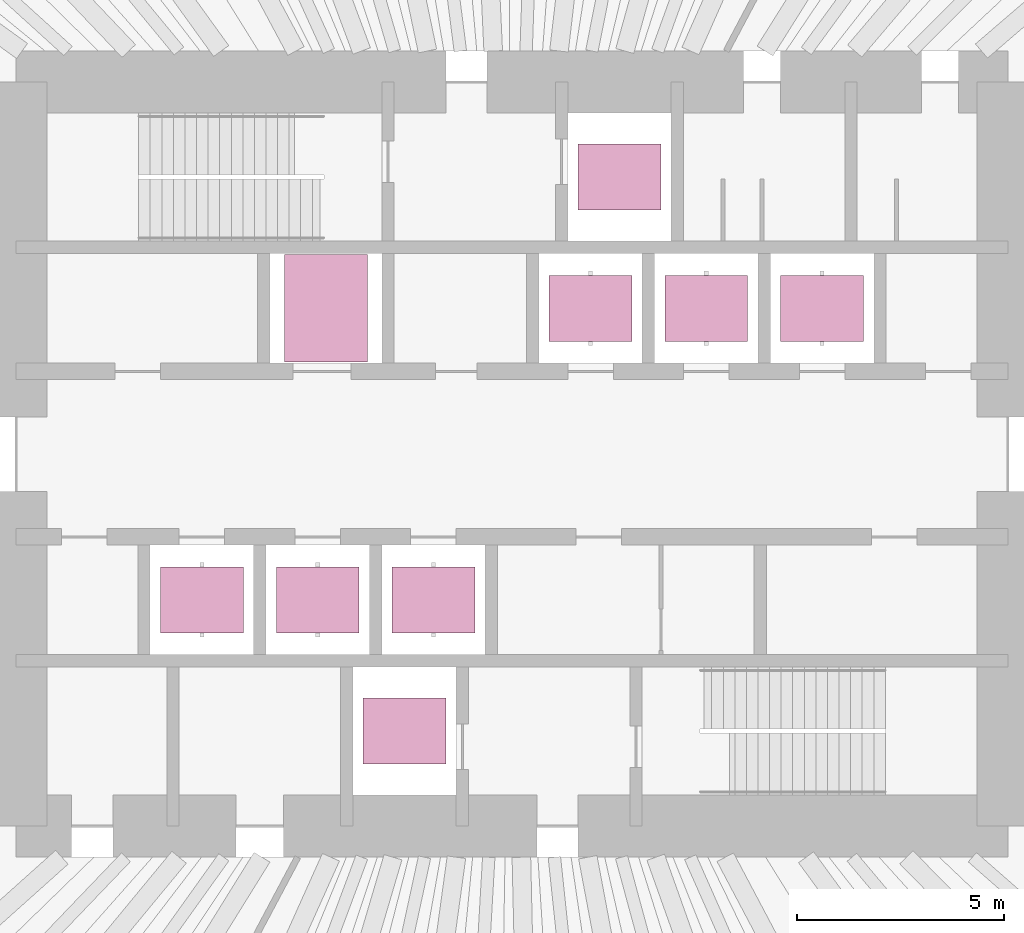
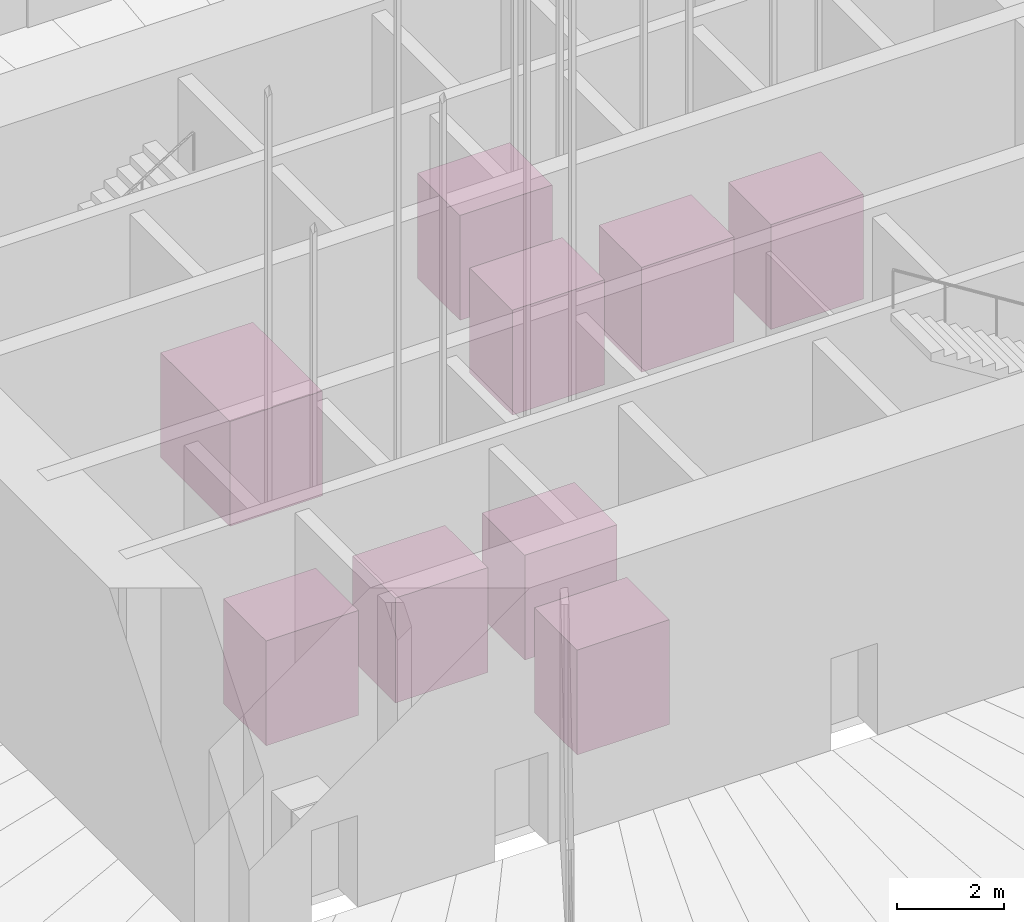
# One storey, part 33 of 45: 9 transport elements.
"""IFC4 building model written with IfcOpenShell, lengths in metres."""

from ifc_helpers import new_model, si_unit, direction, frame, origin, origin_2d, place, context, subcontext, project, spatial, rectangle, extrude, material, type_object, element, save


model = new_model("IFC4")

# Units and contexts
model_context = context("Model", 3, precision=1e-05, world=origin(), true_north=direction((0.0, 1.0)))
body_context = subcontext(model_context, "Body", "Model", "MODEL_VIEW")
ifc_project = project(units=[si_unit("LENGTHUNIT", "METRE"), si_unit("AREAUNIT", "SQUARE_METRE"), si_unit("VOLUMEUNIT", "CUBIC_METRE"), si_unit("PLANEANGLEUNIT", "RADIAN"), si_unit("MASSUNIT", "GRAM", prefix="KILO")], contexts=[model_context])

# Site, building, storey
site_placement = place(None, origin())
site = spatial("IfcSite", under=ifc_project, at=site_placement, CompositionType="ELEMENT")
building_placement = place(site_placement, origin())
building = spatial("IfcBuilding", under=site, at=building_placement, Name="Qingtian Harvest Tower", CompositionType="ELEMENT")
storey_placement = place(building_placement, origin())
storey = spatial("IfcBuildingStorey", under=building, at=storey_placement, Name="L00", CompositionType="ELEMENT", Elevation=0.0)

# Transport elements
ifc_material_1 = material(Name="Lift car, steel and glass", Category="steel")
transport_element_type_1 = type_object("IfcTransportElementType", Name="Goods lift", PredefinedType="ELEVATOR", material=ifc_material_1)
transport_element_placement = place(storey_placement, frame((-4.5, 3.52490234375, 0.0), z_axis=(0.0, 0.0, 1.0), x_axis=(1.0, 0.0, 0.0)))
element("IfcTransportElement", 1, at=transport_element_placement, inside=storey, type_object=transport_element_type_1, Name="Lift GL1", PredefinedType="ELEVATOR", context=body_context, shape_type="SweptSolid", body=[
    extrude(rectangle(XDim=2.0, YDim=2.60009765625, at=origin_2d()), origin(), (0.0, 0.0, 1.0), 2.39990234375),
])
ifc_material_2 = material(Name="Lift car, steel and glass", Category="steel")
transport_element_type_2 = type_object("IfcTransportElementType", Name="Passenger lift", PredefinedType="ELEVATOR", material=ifc_material_2)
for number, where, z_axis, x_axis, name in (
    (2, (2.60009765625, 6.699951171875, 0.0), (0.0, 0.0, 1.0), (1.0, 0.0, 0.0), "Lift FL1"),
    (3, (-2.60009765625, -6.699951171875, 0.0), (0.0, 0.0, 1.0), (1.0, 0.0, 0.0), "Lift FL2"),
    (4, (1.89990234375, 3.52490234375, 0.0), (0.0, 0.0, 1.0), (1.0, 0.0, 0.0), "Lift PLA1"),
    (5, (4.699951171875, 3.52490234375, 0.0), (0.0, 0.0, 1.0), (1.0, 0.0, 0.0), "Lift PLA2"),
    (6, (7.5, 3.52490234375, 0.0), (0.0, 0.0, 1.0), (1.0, 0.0, 0.0), "Lift PLA3"),
    (7, (-7.5, -3.52490234375, 0.0), (0.0, 0.0, 1.0), (1.0, 0.0, 0.0), "Lift SH1"),
    (8, (-4.699951171875, -3.52490234375, 0.0), (0.0, 0.0, 1.0), (1.0, 0.0, 0.0), "Lift SH2"),
    (9, (-1.89990234375, -3.52490234375, 0.0), (0.0, 0.0, 1.0), (1.0, 0.0, 0.0), "Lift SH3"),
):
    element("IfcTransportElement", number, at=place(storey_placement, frame(where, z_axis=z_axis, x_axis=x_axis)), inside=storey, type_object=transport_element_type_2, Name=name, PredefinedType="ELEVATOR", context=body_context, shape_type="SweptSolid", body=[
        extrude(rectangle(XDim=2.0, YDim=1.60009765625, at=origin_2d()), origin(), (0.0, 0.0, 1.0), 2.39990234375),
    ])

save(model, "model.ifc")
